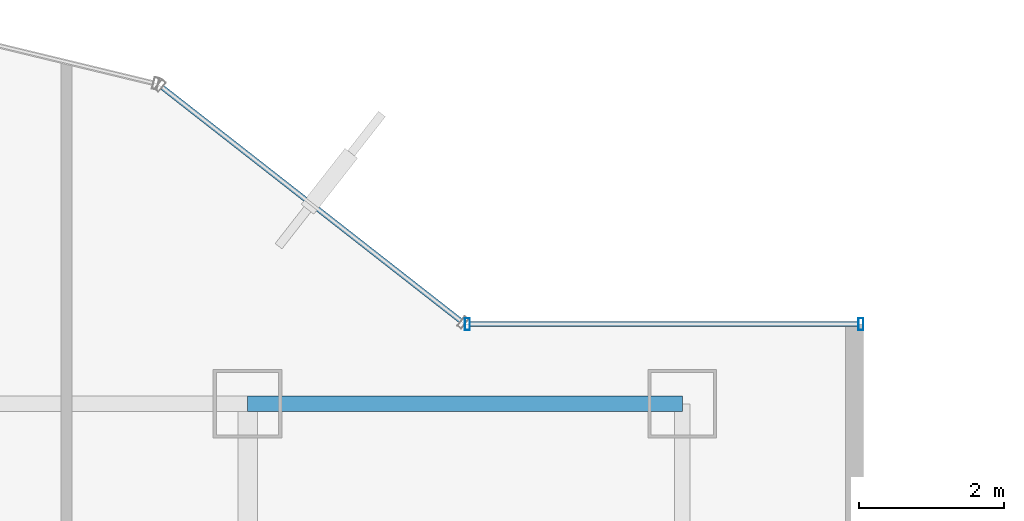
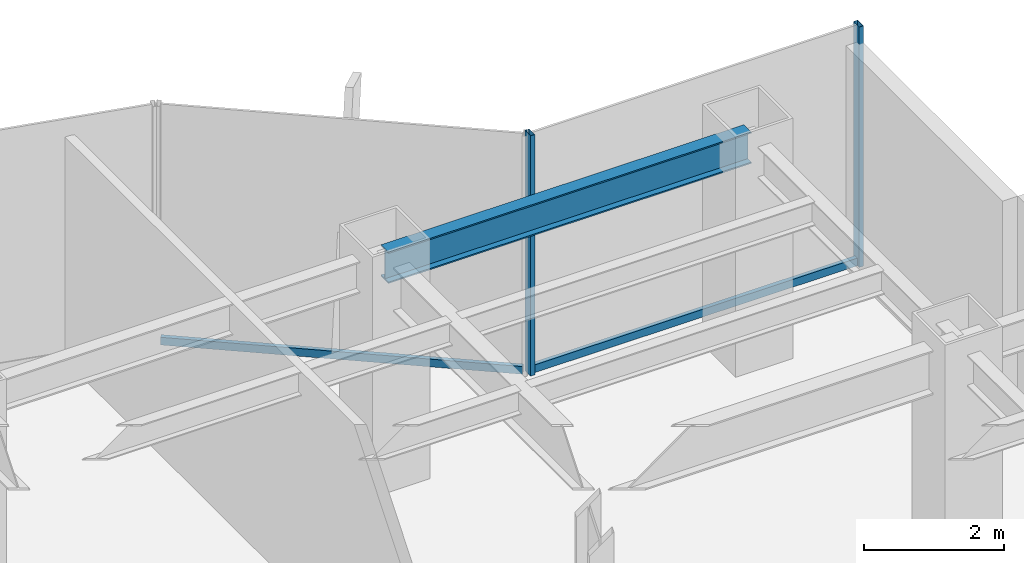
# One storey, part 26 of 35: 4 members, 1 beam, 2 elements without a shape of their own.
"""IFC4 building model written with IfcOpenShell, lengths in metres."""

from ifc_helpers import new_model, si_unit, derived_unit, direction, frame, origin, origin_2d, place, context, subcontext, project, spatial, hollow_rectangle, i_section, extrude, source, transform, mapped, material, material_profile, profile_set, type_object, element, aggregate, save


model = new_model("IFC4")

# Units and contexts
model_context = context("Model", 3, precision=1e-05, world=origin(), true_north=direction((0.0, 1.0)))
body_context = subcontext(model_context, "Body", "Model", "MODEL_VIEW")
ifc_project = project(units=[si_unit("LENGTHUNIT", "METRE"), si_unit("AREAUNIT", "SQUARE_METRE"), si_unit("VOLUMEUNIT", "CUBIC_METRE"), si_unit("PLANEANGLEUNIT", "RADIAN"), si_unit("MASSUNIT", "GRAM", prefix="KILO"), derived_unit("THERMALTRANSMITTANCEUNIT", [(si_unit("POWERUNIT", "WATT"), 1), (si_unit("LENGTHUNIT", "METRE"), -2), (si_unit("THERMODYNAMICTEMPERATUREUNIT", "KELVIN"), -1)])], contexts=[model_context])

# Site, building, storey
site_placement = place(None, origin())
site = spatial("IfcSite", under=ifc_project, at=site_placement, CompositionType="ELEMENT")
building_placement = place(site_placement, origin())
building = spatial("IfcBuilding", under=site, at=building_placement, Name="Skarnbrae Concourse Arena and Tower", CompositionType="ELEMENT")
storey_placement = place(building_placement, frame((0.0, 0.0, 79.949951171875)))
storey = spatial("IfcBuildingStorey", under=building, at=storey_placement, Name="L19", CompositionType="ELEMENT", Elevation=79.949951171875)

# Beam
ifc_material_1 = material(Name="Steel CSA G40.21 350W", Category="steel")
ifc_material_profile_1 = material_profile(ifc_material_1, i_section(OverallWidth=0.214111328125, OverallDepth=0.549072265625, WebThickness=0.0146484375, FlangeThickness=0.023681640625, at=origin_2d()), Name="W530X138")
ifc_profile_set_1 = profile_set([ifc_material_profile_1], Name="Steel CSA G40.21 350W")
beam_type = type_object("IfcBeamType", Name="BM-SPAN-W530X138", PredefinedType="SPANDREL", material=ifc_profile_set_1)
shared_shape_1 = source(origin(), body_context, "Body", "SweptSolid", [
    extrude(i_section(OverallWidth=0.214111328125, OverallDepth=0.549072265625, WebThickness=0.0146484375, FlangeThickness=0.023681640625, at=origin_2d()), origin(), (0.0, 0.0, 1.0), 6.0),
])
beam_placement = place(storey_placement, frame((49.0, 40.39990234375, 3.62548828125), z_axis=(1.0, 0.0, 0.0), x_axis=(0.0, 1.0, 0.0)))
element("IfcBeam", 1, at=beam_placement, inside=storey, type_object=beam_type, Name="L19 Perimeter spandrel Y40.4-7", PredefinedType="SPANDREL", context=body_context, shape_type="MappedRepresentation", body=[
    mapped(shared_shape_1, transform((0.0, 0.0, 0.0))),
])

# Curtain wall, members
ifc_material_2 = material(Name="Bronze anodised aluminium 6063-T6", Category="aluminium")
curtain_wall_type = type_object("IfcCurtainWallType", Name="CW-SYS-06-SKYLOBBY", PredefinedType="USERDEFINED", material=ifc_material_2)
curtain_wall_1_placement = place(storey_placement, origin())
curtain_wall_1 = element("IfcCurtainWall", 2, at=curtain_wall_1_placement, inside=storey, type_object=curtain_wall_type, Name="L19 Unitised curtain wall CW-L19-E07", ObjectType="UNITISED CURTAIN WALL", PredefinedType="USERDEFINED")
ifc_material_profile_2 = material_profile(ifc_material_2, hollow_rectangle(XDim=0.070068359375, YDim=0.1650390625, WallThickness=0.00390625, at=origin_2d()), Name="ALU-MULL-70X165")
ifc_profile_set_2 = profile_set([ifc_material_profile_2], Name="Bronze anodised aluminium 6063-T6")
member_type_1 = type_object("IfcMemberType", Name="CWM-CW-06", PredefinedType="MULLION", material=ifc_profile_set_2)
shared_shape_2 = source(origin(), body_context, "Body", "SweptSolid", [
    extrude(hollow_rectangle(XDim=0.070068359375, YDim=0.1650390625, WallThickness=0.00390625, at=origin_2d()), origin(), (0.0, 0.0, 1.0), 4.199951171875),
])
member_1_placement = place(storey_placement, frame((57.465087890625, 41.5, 0.0), z_axis=(0.0, 0.0, 1.0), x_axis=(-1.0, 0.0, 0.0)))
member_1 = element("IfcMember", 3, at=member_1_placement, type_object=member_type_1, Name="CW-L19-E07 Mullion 1", PredefinedType="MULLION", context=body_context, shape_type="MappedRepresentation", body=[
    mapped(shared_shape_2, transform((0.0, 0.0, 0.0))),
])
member_2_placement = place(storey_placement, frame((52.034912109375, 41.5, 0.0), z_axis=(0.0, 0.0, 1.0), x_axis=(-1.0, 0.0, 0.0)))
member_2 = element("IfcMember", 4, at=member_2_placement, type_object=member_type_1, Name="CW-L19-E07 Mullion 2", PredefinedType="MULLION", context=body_context, shape_type="MappedRepresentation", body=[
    mapped(shared_shape_2, transform((0.0, 0.0, 0.0))),
])
ifc_material_profile_3 = material_profile(ifc_material_2, hollow_rectangle(XDim=0.070068359375, YDim=0.135009765625, WallThickness=0.00390625, at=origin_2d()), Name="ALU-TRAN-70X135")
ifc_profile_set_3 = profile_set([ifc_material_profile_3], Name="Bronze anodised aluminium 6063-T6")
member_type_2 = type_object("IfcMemberType", Name="CWT-CW-06", PredefinedType="USERDEFINED", material=ifc_profile_set_3)
shared_shape_3 = source(origin(), body_context, "Body", "SweptSolid", [
    extrude(hollow_rectangle(XDim=0.070068359375, YDim=0.135009765625, WallThickness=0.00390625, at=origin_2d()), origin(), (0.0, 0.0, 1.0), 5.35986328125),
])
member_3_placement = place(storey_placement, frame((57.429931640625, 41.5, 0.067626953125), z_axis=(-1.0, 0.0, 0.0), x_axis=(0.0, -1.0, 0.0)))
member_3 = element("IfcMember", 5, at=member_3_placement, type_object=member_type_2, Name="CW-L19-E07 Transom 1", ObjectType="TRANSOM", PredefinedType="USERDEFINED", context=body_context, shape_type="MappedRepresentation", body=[
    mapped(shared_shape_3, transform((0.0, 0.0, 0.0))),
])
aggregate(curtain_wall_1, [member_1, member_2, member_3])

# Curtain wall, member
curtain_wall_2_placement = place(storey_placement, origin())
curtain_wall_2 = element("IfcCurtainWall", 6, at=curtain_wall_2_placement, inside=storey, type_object=curtain_wall_type, Name="L19 Unitised curtain wall CW-L19-E08", ObjectType="UNITISED CURTAIN WALL", PredefinedType="USERDEFINED")
shared_shape_4 = source(origin(), body_context, "Body", "SweptSolid", [
    extrude(hollow_rectangle(XDim=0.070068359375, YDim=0.135009765625, WallThickness=0.00390625, at=origin_2d()), origin(), (0.0, 0.0, 1.0), 5.235107421875),
])
member_4_placement = place(storey_placement, frame((51.94482421875, 41.543212890625, 0.067626953125), z_axis=(-0.787669317149, 0.616098244456, 0.0), x_axis=(-0.616098244456, -0.787669317149, 0.0)))
member_4 = element("IfcMember", 7, at=member_4_placement, type_object=member_type_2, Name="CW-L19-E08 Transom 1", ObjectType="TRANSOM", PredefinedType="USERDEFINED", context=body_context, shape_type="MappedRepresentation", body=[
    mapped(shared_shape_4, transform((0.0, 0.0, 0.0))),
])
aggregate(curtain_wall_2, [member_4])

save(model, "model.ifc")
